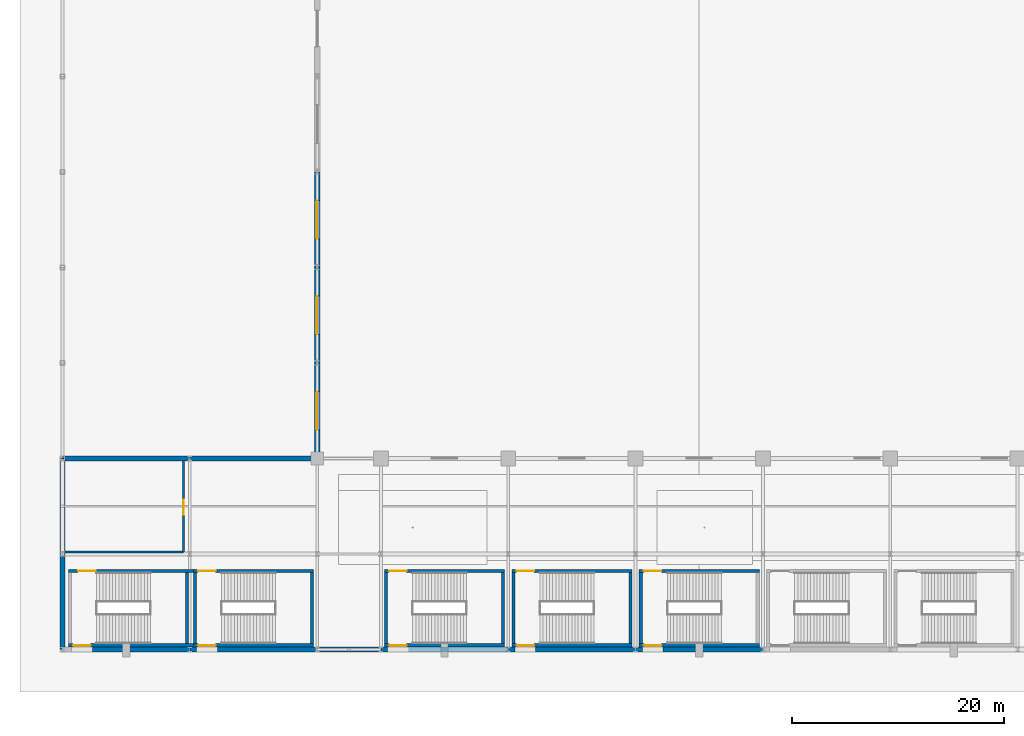
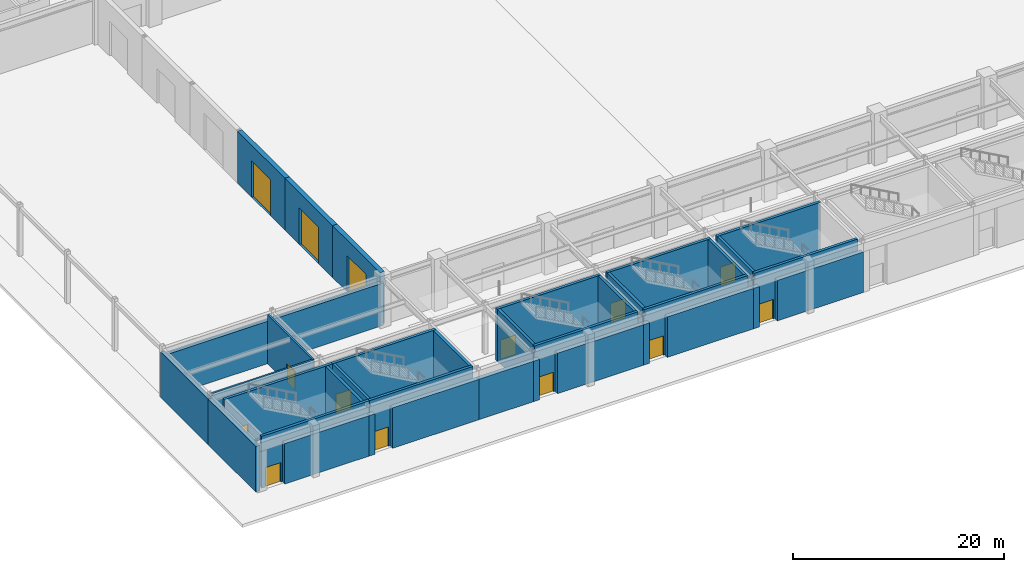
# One storey, part 21 of 44: 37 walls, 14 doors, 14 openings.
"""IFC4 building model written with IfcOpenShell, lengths in metres."""

from ifc_helpers import new_model, si_unit, direction, frame, frame_2d, origin, place, context, subcontext, project, spatial, rectangle, extrude, material, layer, layer_set, type_object, element, fill, save


model = new_model("IFC4")

# Units and contexts
model_context = context("Model", 3, precision=1e-05, world=origin(), true_north=direction((0.0, 1.0)))
body_context = subcontext(model_context, "Body", "Model", "MODEL_VIEW")
ifc_project = project(units=[si_unit("LENGTHUNIT", "METRE"), si_unit("AREAUNIT", "SQUARE_METRE"), si_unit("VOLUMEUNIT", "CUBIC_METRE"), si_unit("PLANEANGLEUNIT", "RADIAN"), si_unit("MASSUNIT", "GRAM", prefix="KILO")], contexts=[model_context])

# Site, building, storey
site_placement = place(None, origin())
site = spatial("IfcSite", under=ifc_project, at=site_placement, CompositionType="ELEMENT")
building_placement = place(site_placement, origin())
building = spatial("IfcBuilding", under=site, at=building_placement, Name="Kaldorvane Square Convention Centre", CompositionType="ELEMENT")
storey_placement = place(building_placement, origin())
storey = spatial("IfcBuildingStorey", under=building, at=storey_placement, Name="L00", CompositionType="ELEMENT", Elevation=0.0)

# Wall, opening, door
ifc_material_1 = material(Name="Concrete f'c = 55 MPa (Normalweight)", Category="concrete")
ifc_layer_1 = layer(ifc_material_1, 0.5)
ifc_layer_set_1 = layer_set([ifc_layer_1], Name="Concrete f'c = 55 MPa (Normalweight)")
wall_type_1 = type_object("IfcWallType", Name="WL-CORE-500", PredefinedType="SHEAR", material=ifc_layer_set_1)
wall_1_placement = place(storey_placement, frame((24.0, 27.0, 0.0), z_axis=(0.0, 0.0, 1.0), x_axis=(0.0, -1.0, 0.0)))
wall_1 = element("IfcWall", 1, at=wall_1_placement, inside=storey, type_object=wall_type_1, Name="Exhibition Hall Freight Dock Wall 1 (L00)", PredefinedType="SHEAR", context=body_context, shape_type="SweptSolid", body=[
    extrude(rectangle(XDim=9.0, YDim=0.5, at=frame_2d((4.5, 0.0))), origin(), (0.0, 0.0, 1.0), 6.0),
])
opening_1_placement = place(wall_1_placement, frame((2.6999969482421875, 0.0, 0.0)))
opening_1 = element("IfcOpeningElement", 2, at=opening_1_placement, cuts=wall_1, Name="Opening GD-H1", PredefinedType="OPENING", context=body_context, shape_type="SweptSolid", body=[
    extrude(rectangle(XDim=3.600006103515625, YDim=4.1999969482421875, at=frame_2d((1.8000030517578125, 2.100006103515625))), frame((0.0, 0.2649993896484375, 0.0), z_axis=(0.0, -1.0, 0.0), x_axis=(1.0, 0.0, 0.0)), (0.0, 0.0, 1.0), 0.529998779296875),
])
ifc_material_2 = material(Name="Insulated Galvanized Steel Roller Shutter", Category="steel")
door_type_1 = type_object("IfcDoorType", Name="DR-HGV-3600X4200", OperationType="ROLLINGUP", PredefinedType="GATE", material=ifc_material_2)
door_1_placement = place(opening_1_placement, origin())
door_1 = element("IfcDoor", 3, at=door_1_placement, inside=storey, type_object=door_type_1, Name="HGV Loading Dock Roller Gate 01", OperationType="ROLLINGUP", OverallHeight=4.1999969482421875, OverallWidth=3.600006103515625, PredefinedType="GATE", context=body_context, shape_type="SweptSolid", body=[
    extrude(rectangle(XDim=3.600006103515625, YDim=4.1999969482421875, at=frame_2d((1.8000030517578125, 2.100006103515625))), frame((0.0, 0.024993896484375, 0.0), z_axis=(0.0, -1.0, 0.0), x_axis=(1.0, 0.0, 0.0)), (0.0, 0.0, 1.0), 0.0500030517578125),
])
fill(opening_1, door_1)

wall_2_placement = place(storey_placement, frame((24.0, 36.0, 0.0), z_axis=(0.0, 0.0, 1.0), x_axis=(0.0, -1.0, 0.0)))
wall_2 = element("IfcWall", 4, at=wall_2_placement, inside=storey, type_object=wall_type_1, Name="Exhibition Hall Freight Dock Wall 2 (L00)", PredefinedType="SHEAR", context=body_context, shape_type="SweptSolid", body=[
    extrude(rectangle(XDim=9.0, YDim=0.5, at=frame_2d((4.5, 0.0))), origin(), (0.0, 0.0, 1.0), 6.0),
])
opening_2_placement = place(wall_2_placement, frame((2.6999969482421875, 0.0, 0.0)))
opening_2 = element("IfcOpeningElement", 5, at=opening_2_placement, cuts=wall_2, Name="Opening GD-H1", PredefinedType="OPENING", context=body_context, shape_type="SweptSolid", body=[
    extrude(rectangle(XDim=3.600006103515625, YDim=4.1999969482421875, at=frame_2d((1.8000030517578125, 2.100006103515625))), frame((0.0, 0.2649993896484375, 0.0), z_axis=(0.0, -1.0, 0.0), x_axis=(1.0, 0.0, 0.0)), (0.0, 0.0, 1.0), 0.529998779296875),
])
door_2_placement = place(opening_2_placement, origin())
door_2 = element("IfcDoor", 6, at=door_2_placement, inside=storey, type_object=door_type_1, Name="HGV Loading Dock Roller Gate 02", OperationType="ROLLINGUP", OverallHeight=4.1999969482421875, OverallWidth=3.600006103515625, PredefinedType="GATE", context=body_context, shape_type="SweptSolid", body=[
    extrude(rectangle(XDim=3.600006103515625, YDim=4.1999969482421875, at=frame_2d((1.8000030517578125, 2.100006103515625))), frame((0.0, 0.024993896484375, 0.0), z_axis=(0.0, -1.0, 0.0), x_axis=(1.0, 0.0, 0.0)), (0.0, 0.0, 1.0), 0.0500030517578125),
])
fill(opening_2, door_2)

wall_3_placement = place(storey_placement, frame((24.0, 45.0, 0.0), z_axis=(0.0, 0.0, 1.0), x_axis=(0.0, -1.0, 0.0)))
wall_3 = element("IfcWall", 7, at=wall_3_placement, inside=storey, type_object=wall_type_1, Name="Exhibition Hall Freight Dock Wall 3 (L00)", PredefinedType="SHEAR", context=body_context, shape_type="SweptSolid", body=[
    extrude(rectangle(XDim=9.0, YDim=0.5, at=frame_2d((4.5, 0.0))), origin(), (0.0, 0.0, 1.0), 6.0),
])
opening_3_placement = place(wall_3_placement, frame((2.6999969482421875, 0.0, 0.0)))
opening_3 = element("IfcOpeningElement", 8, at=opening_3_placement, cuts=wall_3, Name="Opening GD-H1", PredefinedType="OPENING", context=body_context, shape_type="SweptSolid", body=[
    extrude(rectangle(XDim=3.600006103515625, YDim=4.1999969482421875, at=frame_2d((1.8000030517578125, 2.100006103515625))), frame((0.0, 0.2649993896484375, 0.0), z_axis=(0.0, -1.0, 0.0), x_axis=(1.0, 0.0, 0.0)), (0.0, 0.0, 1.0), 0.529998779296875),
])
door_3_placement = place(opening_3_placement, origin())
door_3 = element("IfcDoor", 9, at=door_3_placement, inside=storey, type_object=door_type_1, Name="HGV Loading Dock Roller Gate 03", OperationType="ROLLINGUP", OverallHeight=4.1999969482421875, OverallWidth=3.600006103515625, PredefinedType="GATE", context=body_context, shape_type="SweptSolid", body=[
    extrude(rectangle(XDim=3.600006103515625, YDim=4.1999969482421875, at=frame_2d((1.8000030517578125, 2.100006103515625))), frame((0.0, 0.024993896484375, 0.0), z_axis=(0.0, -1.0, 0.0), x_axis=(1.0, 0.0, 0.0)), (0.0, 0.0, 1.0), 0.0500030517578125),
])
fill(opening_3, door_3)

# Wall
ifc_material_3 = material(Name="Fire-Rated Gypsum Board on Acoustic Steel Studs", Category="steel")
ifc_layer_2 = layer(ifc_material_3, 0.1999969482421875)
ifc_layer_set_2 = layer_set([ifc_layer_2], Name="Fire-Rated Gypsum Board on Acoustic Steel Studs")
wall_type_2 = type_object("IfcWallType", Name="WL-CORR-200", PredefinedType="PARTITIONING", material=ifc_layer_set_2)
wall_4_placement = place(storey_placement, frame((0.225006103515625, 9.199996948242188, 0.0), z_axis=(0.0, 0.0, 1.0), x_axis=(1.0, 0.0, 0.0)))
element("IfcWall", 10, at=wall_4_placement, inside=storey, type_object=wall_type_2, Name="Marshalling Security and Weighmaster Office S Wall", PredefinedType="PARTITIONING", context=body_context, shape_type="SweptSolid", body=[
    extrude(rectangle(XDim=11.17498779296875, YDim=0.1999969482421875, at=frame_2d((5.587493896484375, 0.0))), origin(), (0.0, 0.0, 1.0), 5.67999267578125),
])

# Wall, opening, door
wall_5_placement = place(storey_placement, frame((11.399993896484375, 9.199996948242188, 0.0), z_axis=(0.0, 0.0, 1.0), x_axis=(0.0, 1.0, 0.0)))
wall_5 = element("IfcWall", 11, at=wall_5_placement, inside=storey, type_object=wall_type_2, Name="Marshalling Security and Weighmaster Office E Wall", PredefinedType="PARTITIONING", context=body_context, shape_type="SweptSolid", body=[
    extrude(rectangle(XDim=8.574996948242188, YDim=0.1999969482421875, at=frame_2d((4.287506103515625, 0.0))), origin(), (0.0, 0.0, 1.0), 5.67999267578125),
])
opening_4_placement = place(wall_5_placement, frame((3.5, 0.0, 0.0)))
opening_4 = element("IfcOpeningElement", 12, at=opening_4_placement, cuts=wall_5, Name="Opening ID-08", PredefinedType="OPENING", context=body_context, shape_type="SweptSolid", body=[
    extrude(rectangle(XDim=1.399993896484375, YDim=2.1999969482421875, at=frame_2d((0.6999969482421875, 1.100006103515625))), frame((0.0, 0.114990234375, 0.0), z_axis=(0.0, -1.0, 0.0), x_axis=(1.0, 0.0, 0.0)), (0.0, 0.0, 1.0), 0.2299957275390625),
])
ifc_material_4 = material(Name="Insulated Hollow Metal Steel", Category="steel")
door_type_2 = type_object("IfcDoorType", Name="DR-SVC-1400X2200", OperationType="DOUBLE_DOOR_SINGLE_SWING", PredefinedType="DOOR", material=ifc_material_4)
door_4_placement = place(opening_4_placement, origin())
door_4 = element("IfcDoor", 13, at=door_4_placement, inside=storey, type_object=door_type_2, Name="Marshalling Security and Weighmaster Office Door 1", OperationType="DOUBLE_DOOR_SINGLE_SWING", OverallHeight=2.1999969482421875, OverallWidth=1.399993896484375, PredefinedType="DOOR", context=body_context, shape_type="SweptSolid", body=[
    extrude(rectangle(XDim=1.399993896484375, YDim=2.1999969482421875, at=frame_2d((0.6999969482421875, 1.100006103515625))), frame((0.0, 0.024993896484375, 0.0), z_axis=(0.0, -1.0, 0.0), x_axis=(1.0, 0.0, 0.0)), (0.0, 0.0, 1.0), 0.0500030517578125),
])
fill(opening_4, door_4)

# Walls
ifc_material_5 = material(Name="Concrete f'c = 42 MPa (Normalweight)", Category="concrete")
ifc_layer_3 = layer(ifc_material_5, 0.4499969482421875)
ifc_layer_set_3 = layer_set([ifc_layer_3], Name="Concrete f'c = 42 MPa (Normalweight)")
wall_type_3 = type_object("IfcWallType", Name="WL-EXT-450", PredefinedType="STANDARD", material=ifc_layer_set_3)
wall_6_placement = place(storey_placement, frame((2.80999755859375, 0.0, 0.0), z_axis=(0.0, 0.0, 1.0), x_axis=(1.0, 0.0, 0.0)))
element("IfcWall", 14, at=wall_6_placement, inside=storey, type_object=wall_type_3, Name="South Square Brutalist Facade Wall (L00)", PredefinedType="STANDARD", context=body_context, shape_type="SweptSolid", body=[
    extrude(rectangle(XDim=9.19000244140625, YDim=0.4499969482421875, at=frame_2d((4.595001220703125, 0.0))), origin(), (0.0, 0.0, 1.0), 4.675994873046875),
])
wall_7_placement = place(storey_placement, frame((12.0, 0.0, 0.0), z_axis=(0.0, 0.0, 1.0), x_axis=(1.0, 0.0, 0.0)))
element("IfcWall", 15, at=wall_7_placement, inside=storey, type_object=wall_type_3, Name="South Square Brutalist Facade Wall (L00)", PredefinedType="STANDARD", context=body_context, shape_type="SweptSolid", body=[
    extrude(rectangle(XDim=0.6399993896484375, YDim=0.4499969482421875, at=frame_2d((0.32000732421875, 0.0))), origin(), (0.0, 0.0, 1.0), 4.675994873046875),
])
wall_8_placement = place(storey_placement, frame((14.589996337890625, 0.0, 0.0), z_axis=(0.0, 0.0, 1.0), x_axis=(1.0, 0.0, 0.0)))
element("IfcWall", 16, at=wall_8_placement, inside=storey, type_object=wall_type_3, Name="South Square Brutalist Facade Wall (L00)", PredefinedType="STANDARD", context=body_context, shape_type="SweptSolid", body=[
    extrude(rectangle(XDim=9.410003662109375, YDim=0.4499969482421875, at=frame_2d((4.7050018310546875, 0.0))), origin(), (0.0, 0.0, 1.0), 4.675994873046875),
])
wall_9_placement = place(storey_placement, frame((24.0, 0.0, 0.0), z_axis=(0.0, 0.0, 1.0), x_axis=(1.0, 0.0, 0.0)))
element("IfcWall", 17, at=wall_9_placement, inside=storey, type_object=wall_type_3, Name="South Square Brutalist Facade Wall (L00)", PredefinedType="STANDARD", context=body_context, shape_type="SweptSolid", body=[
    extrude(rectangle(XDim=6.0, YDim=0.4499969482421875, at=frame_2d((3.0, 0.0))), origin(), (0.0, 0.0, 1.0), 4.675994873046875),
])
wall_10_placement = place(storey_placement, frame((30.0, 0.0, 0.0), z_axis=(0.0, 0.0, 1.0), x_axis=(1.0, 0.0, 0.0)))
element("IfcWall", 18, at=wall_10_placement, inside=storey, type_object=wall_type_3, Name="South Square Brutalist Facade Wall (L00)", PredefinedType="STANDARD", context=body_context, shape_type="SweptSolid", body=[
    extrude(rectangle(XDim=0.6399993896484375, YDim=0.4499969482421875, at=frame_2d((0.32000732421875, 0.0))), origin(), (0.0, 0.0, 1.0), 4.675994873046875),
])
wall_11_placement = place(storey_placement, frame((32.589996337890625, 0.0, 0.0), z_axis=(0.0, 0.0, 1.0), x_axis=(1.0, 0.0, 0.0)))
element("IfcWall", 19, at=wall_11_placement, inside=storey, type_object=wall_type_3, Name="South Square Brutalist Facade Wall (L00)", PredefinedType="STANDARD", context=body_context, shape_type="SweptSolid", body=[
    extrude(rectangle(XDim=9.410003662109375, YDim=0.4499969482421875, at=frame_2d((4.7050018310546875, 0.0))), origin(), (0.0, 0.0, 1.0), 4.675994873046875),
])
wall_12_placement = place(storey_placement, frame((42.0, 0.0, 0.0), z_axis=(0.0, 0.0, 1.0), x_axis=(1.0, 0.0, 0.0)))
element("IfcWall", 20, at=wall_12_placement, inside=storey, type_object=wall_type_3, Name="South Square Brutalist Facade Wall (L00)", PredefinedType="STANDARD", context=body_context, shape_type="SweptSolid", body=[
    extrude(rectangle(XDim=0.6399993896484375, YDim=0.4499969482421875, at=frame_2d((0.32000732421875, 0.0))), origin(), (0.0, 0.0, 1.0), 4.675994873046875),
])
wall_13_placement = place(storey_placement, frame((44.589996337890625, 0.0, 0.0), z_axis=(0.0, 0.0, 1.0), x_axis=(1.0, 0.0, 0.0)))
element("IfcWall", 21, at=wall_13_placement, inside=storey, type_object=wall_type_3, Name="South Square Brutalist Facade Wall (L00)", PredefinedType="STANDARD", context=body_context, shape_type="SweptSolid", body=[
    extrude(rectangle(XDim=9.410003662109375, YDim=0.4499969482421875, at=frame_2d((4.7050018310546875, 0.0))), origin(), (0.0, 0.0, 1.0), 4.675994873046875),
])
wall_14_placement = place(storey_placement, frame((54.0, 0.0, 0.0), z_axis=(0.0, 0.0, 1.0), x_axis=(1.0, 0.0, 0.0)))
element("IfcWall", 22, at=wall_14_placement, inside=storey, type_object=wall_type_3, Name="South Square Brutalist Facade Wall (L00)", PredefinedType="STANDARD", context=body_context, shape_type="SweptSolid", body=[
    extrude(rectangle(XDim=0.6399993896484375, YDim=0.4499969482421875, at=frame_2d((0.32000732421875, 0.0))), origin(), (0.0, 0.0, 1.0), 4.675994873046875),
])
wall_15_placement = place(storey_placement, frame((56.589996337890625, 0.0, 0.0), z_axis=(0.0, 0.0, 1.0), x_axis=(1.0, 0.0, 0.0)))
element("IfcWall", 23, at=wall_15_placement, inside=storey, type_object=wall_type_3, Name="South Square Brutalist Facade Wall (L00)", PredefinedType="STANDARD", context=body_context, shape_type="SweptSolid", body=[
    extrude(rectangle(XDim=9.410003662109375, YDim=0.4499969482421875, at=frame_2d((4.7050018310546875, 0.0))), origin(), (0.0, 0.0, 1.0), 4.675994873046875),
])
for number, where, z_axis, x_axis, name in (
    (24, (0.0, 9.0, 0.0), (0.0, 0.0, 1.0), (0.0, -1.0, 0.0), "West Service Spine Wall (L00)"),
    (25, (0.0, 18.0, 0.0), (0.0, 0.0, 1.0), (0.0, -1.0, 0.0), "West Service Spine Wall (L00)"),
):
    element("IfcWall", number, at=place(storey_placement, frame(where, z_axis=z_axis, x_axis=x_axis)), inside=storey, type_object=wall_type_3, Name=name, PredefinedType="STANDARD", context=body_context, shape_type="SweptSolid", body=[
        extrude(rectangle(XDim=9.0, YDim=0.4499969482421875, at=frame_2d((4.5, 0.0))), origin(), (0.0, 0.0, 1.0), 5.2689971923828125),
    ])
for number, where, z_axis, x_axis, name in (
    (26, (0.0, 18.0, 0.0), (0.0, 0.0, 1.0), (1.0, 0.0, 0.0), "Service Yard South Wall (L00)"),
    (27, (12.0, 18.0, 0.0), (0.0, 0.0, 1.0), (1.0, 0.0, 0.0), "Service Yard South Wall (L00)"),
):
    element("IfcWall", number, at=place(storey_placement, frame(where, z_axis=z_axis, x_axis=x_axis)), inside=storey, type_object=wall_type_3, Name=name, PredefinedType="STANDARD", context=body_context, shape_type="SweptSolid", body=[
        extrude(rectangle(XDim=12.0, YDim=0.4499969482421875, at=frame_2d((6.0, 0.0))), origin(), (0.0, 0.0, 1.0), 4.9019927978515625),
    ])

# Wall, opening, door
ifc_layer_4 = layer(ifc_material_1, 0.3000030517578125)
ifc_layer_set_4 = layer_set([ifc_layer_4], Name="Concrete f'c = 55 MPa (Normalweight)")
wall_type_4 = type_object("IfcWallType", Name="WL-SHAFT-300", PredefinedType="SHEAR", material=ifc_layer_set_4)
wall_16_placement = place(storey_placement, frame((12.339996337890625, 0.399993896484375, 0.0), z_axis=(0.0, 0.0, 1.0), x_axis=(-1.0, 0.0, 0.0)))
wall_16 = element("IfcWall", 28, at=wall_16_placement, inside=storey, type_object=wall_type_4, Name="Core Enclosure Wall stair:ST-C1-S (L00)", PredefinedType="SHEAR", context=body_context, shape_type="SweptSolid", body=[
    extrude(rectangle(XDim=11.779998779296875, YDim=0.3000030517578125, at=frame_2d((5.8899993896484375, 0.0))), origin(), (0.0, 0.0, 1.0), 6.0),
])
opening_5_placement = place(wall_16_placement, frame((9.67999267578125, 0.0, 0.0)))
opening_5 = element("IfcOpeningElement", 29, at=opening_5_placement, cuts=wall_16, Name="Opening FD90-S2", PredefinedType="OPENING", context=body_context, shape_type="SweptSolid", body=[
    extrude(rectangle(XDim=1.649993896484375, YDim=2.25, at=frame_2d((0.8249969482421875, 1.125))), frame((0.0, 0.165008544921875, 0.0), z_axis=(0.0, -1.0, 0.0), x_axis=(1.0, 0.0, 0.0)), (0.0, 0.0, 1.0), 0.3300018310546875),
])
ifc_material_6 = material(Name="Fire-Rated Hollow Metal Steel", Category="steel")
door_type_3 = type_object("IfcDoorType", Name="DR-STAIR-1650", OperationType="DOUBLE_DOOR_SINGLE_SWING", PredefinedType="DOOR", material=ifc_material_6)
door_5_placement = place(opening_5_placement, origin())
door_5 = element("IfcDoor", 30, at=door_5_placement, inside=storey, type_object=door_type_3, Name="Convention Exit Stair C1 Final Exit Door (L00)", OperationType="DOUBLE_DOOR_SINGLE_SWING", OverallHeight=2.25, OverallWidth=1.649993896484375, PredefinedType="DOOR", context=body_context, shape_type="SweptSolid", body=[
    extrude(rectangle(XDim=1.649993896484375, YDim=2.25, at=frame_2d((0.8249969482421875, 1.125))), frame((0.0, 0.024993896484375, 0.0), z_axis=(0.0, -1.0, 0.0), x_axis=(1.0, 0.0, 0.0)), (0.0, 0.0, 1.0), 0.0500030517578125),
])
fill(opening_5, door_5)

wall_17_placement = place(storey_placement, frame((12.339996337890625, 7.410003662109375, 0.0), z_axis=(0.0, 0.0, 1.0), x_axis=(-1.0, 0.0, 0.0)))
wall_17 = element("IfcWall", 31, at=wall_17_placement, inside=storey, type_object=wall_type_4, Name="Core Enclosure Wall stair:ST-C1-N (L00)", PredefinedType="SHEAR", context=body_context, shape_type="SweptSolid", body=[
    extrude(rectangle(XDim=11.779998779296875, YDim=0.3000030517578125, at=frame_2d((5.8899993896484375, 0.0))), origin(), (0.0, 0.0, 1.0), 6.0),
])
opening_6_placement = place(wall_17_placement, frame((9.220001220703125, 0.0, 0.0)))
opening_6 = element("IfcOpeningElement", 32, at=opening_6_placement, cuts=wall_17, Name="Opening FD90-S2", PredefinedType="OPENING", context=body_context, shape_type="SweptSolid", body=[
    extrude(rectangle(XDim=1.649993896484375, YDim=2.25, at=frame_2d((0.8249969482421875, 1.125))), frame((0.0, 0.165008544921875, 0.0), z_axis=(0.0, -1.0, 0.0), x_axis=(1.0, 0.0, 0.0)), (0.0, 0.0, 1.0), 0.3300018310546875),
])
door_6_placement = place(opening_6_placement, origin())
door_6 = element("IfcDoor", 33, at=door_6_placement, inside=storey, type_object=door_type_3, Name="Convention Exit Stair C1 Fire Door (L00)", OperationType="DOUBLE_DOOR_SINGLE_SWING", OverallHeight=2.25, OverallWidth=1.649993896484375, PredefinedType="DOOR", context=body_context, shape_type="SweptSolid", body=[
    extrude(rectangle(XDim=1.649993896484375, YDim=2.25, at=frame_2d((0.8249969482421875, 1.125))), frame((0.0, 0.024993896484375, 0.0), z_axis=(0.0, -1.0, 0.0), x_axis=(1.0, 0.0, 0.0)), (0.0, 0.0, 1.0), 0.0500030517578125),
])
fill(opening_6, door_6)

# Wall
wall_18_placement = place(storey_placement, frame((11.729995727539062, 0.5500030517578125, 0.0), z_axis=(0.0, 0.0, 1.0), x_axis=(0.0, 1.0, 0.0)))
element("IfcWall", 34, at=wall_18_placement, inside=storey, type_object=wall_type_4, Name="Core Enclosure Wall stair:ST-C1-E (L00)", PredefinedType="SHEAR", context=body_context, shape_type="SweptSolid", body=[
    extrude(rectangle(XDim=6.709991455078125, YDim=0.3000030517578125, at=frame_2d((3.3549957275390625, 0.0))), origin(), (0.0, 0.0, 1.0), 6.0),
])

# Wall, opening, door
wall_19_placement = place(storey_placement, frame((23.660003662109375, 0.399993896484375, 0.0), z_axis=(0.0, 0.0, 1.0), x_axis=(-1.0, 0.0, 0.0)))
wall_19 = element("IfcWall", 35, at=wall_19_placement, inside=storey, type_object=wall_type_4, Name="Core Enclosure Wall stair:ST-C2-S (L00)", PredefinedType="SHEAR", context=body_context, shape_type="SweptSolid", body=[
    extrude(rectangle(XDim=11.32000732421875, YDim=0.3000030517578125, at=frame_2d((5.660003662109375, 0.0))), origin(), (0.0, 0.0, 1.0), 6.0),
])
opening_7_placement = place(wall_19_placement, frame((9.220001220703125, 0.0, 0.0)))
opening_7 = element("IfcOpeningElement", 36, at=opening_7_placement, cuts=wall_19, Name="Opening FD90-S2", PredefinedType="OPENING", context=body_context, shape_type="SweptSolid", body=[
    extrude(rectangle(XDim=1.649993896484375, YDim=2.25, at=frame_2d((0.8249969482421875, 1.125))), frame((0.0, 0.165008544921875, 0.0), z_axis=(0.0, -1.0, 0.0), x_axis=(1.0, 0.0, 0.0)), (0.0, 0.0, 1.0), 0.3300018310546875),
])
door_7_placement = place(opening_7_placement, origin())
door_7 = element("IfcDoor", 37, at=door_7_placement, inside=storey, type_object=door_type_3, Name="Convention Exit Stair C2 Final Exit Door (L00)", OperationType="DOUBLE_DOOR_SINGLE_SWING", OverallHeight=2.25, OverallWidth=1.649993896484375, PredefinedType="DOOR", context=body_context, shape_type="SweptSolid", body=[
    extrude(rectangle(XDim=1.649993896484375, YDim=2.25, at=frame_2d((0.8249969482421875, 1.125))), frame((0.0, 0.024993896484375, 0.0), z_axis=(0.0, -1.0, 0.0), x_axis=(1.0, 0.0, 0.0)), (0.0, 0.0, 1.0), 0.0500030517578125),
])
fill(opening_7, door_7)

wall_20_placement = place(storey_placement, frame((23.660003662109375, 7.410003662109375, 0.0), z_axis=(0.0, 0.0, 1.0), x_axis=(-1.0, 0.0, 0.0)))
wall_20 = element("IfcWall", 38, at=wall_20_placement, inside=storey, type_object=wall_type_4, Name="Core Enclosure Wall stair:ST-C2-N (L00)", PredefinedType="SHEAR", context=body_context, shape_type="SweptSolid", body=[
    extrude(rectangle(XDim=11.32000732421875, YDim=0.3000030517578125, at=frame_2d((5.660003662109375, 0.0))), origin(), (0.0, 0.0, 1.0), 6.0),
])
opening_8_placement = place(wall_20_placement, frame((9.220001220703125, 0.0, 0.0)))
opening_8 = element("IfcOpeningElement", 39, at=opening_8_placement, cuts=wall_20, Name="Opening FD90-S2", PredefinedType="OPENING", context=body_context, shape_type="SweptSolid", body=[
    extrude(rectangle(XDim=1.649993896484375, YDim=2.25, at=frame_2d((0.8249969482421875, 1.125))), frame((0.0, 0.165008544921875, 0.0), z_axis=(0.0, -1.0, 0.0), x_axis=(1.0, 0.0, 0.0)), (0.0, 0.0, 1.0), 0.3300018310546875),
])
door_8_placement = place(opening_8_placement, origin())
door_8 = element("IfcDoor", 40, at=door_8_placement, inside=storey, type_object=door_type_3, Name="Convention Exit Stair C2 Fire Door (L00)", OperationType="DOUBLE_DOOR_SINGLE_SWING", OverallHeight=2.25, OverallWidth=1.649993896484375, PredefinedType="DOOR", context=body_context, shape_type="SweptSolid", body=[
    extrude(rectangle(XDim=1.649993896484375, YDim=2.25, at=frame_2d((0.8249969482421875, 1.125))), frame((0.0, 0.024993896484375, 0.0), z_axis=(0.0, -1.0, 0.0), x_axis=(1.0, 0.0, 0.0)), (0.0, 0.0, 1.0), 0.0500030517578125),
])
fill(opening_8, door_8)

# Walls
for number, where, z_axis, x_axis, name in (
    (41, (12.490005493164062, 7.2599945068359375, 0.0), (0.0, 0.0, 1.0), (0.0, -1.0, 0.0), "Core Enclosure Wall stair:ST-C2-W (L00)"),
    (42, (23.509994506835938, 0.5500030517578125, 0.0), (0.0, 0.0, 1.0), (0.0, 1.0, 0.0), "Core Enclosure Wall stair:ST-C2-E (L00)"),
):
    element("IfcWall", number, at=place(storey_placement, frame(where, z_axis=z_axis, x_axis=x_axis)), inside=storey, type_object=wall_type_4, Name=name, PredefinedType="SHEAR", context=body_context, shape_type="SweptSolid", body=[
        extrude(rectangle(XDim=6.709991455078125, YDim=0.3000030517578125, at=frame_2d((3.3549957275390625, 0.0))), origin(), (0.0, 0.0, 1.0), 6.0),
    ])

# Wall, opening, door
wall_21_placement = place(storey_placement, frame((41.660003662109375, 0.399993896484375, 0.0), z_axis=(0.0, 0.0, 1.0), x_axis=(-1.0, 0.0, 0.0)))
wall_21 = element("IfcWall", 43, at=wall_21_placement, inside=storey, type_object=wall_type_4, Name="Core Enclosure Wall stair:ST-C3-S (L00)", PredefinedType="SHEAR", context=body_context, shape_type="SweptSolid", body=[
    extrude(rectangle(XDim=11.32000732421875, YDim=0.3000030517578125, at=frame_2d((5.660003662109375, 0.0))), origin(), (0.0, 0.0, 1.0), 6.0),
])
opening_9_placement = place(wall_21_placement, frame((9.220001220703125, 0.0, 0.0)))
opening_9 = element("IfcOpeningElement", 44, at=opening_9_placement, cuts=wall_21, Name="Opening FD90-S2", PredefinedType="OPENING", context=body_context, shape_type="SweptSolid", body=[
    extrude(rectangle(XDim=1.649993896484375, YDim=2.25, at=frame_2d((0.8249969482421875, 1.125))), frame((0.0, 0.165008544921875, 0.0), z_axis=(0.0, -1.0, 0.0), x_axis=(1.0, 0.0, 0.0)), (0.0, 0.0, 1.0), 0.3300018310546875),
])
door_9_placement = place(opening_9_placement, origin())
door_9 = element("IfcDoor", 45, at=door_9_placement, inside=storey, type_object=door_type_3, Name="Convention Exit Stair C3 Final Exit Door (L00)", OperationType="DOUBLE_DOOR_SINGLE_SWING", OverallHeight=2.25, OverallWidth=1.649993896484375, PredefinedType="DOOR", context=body_context, shape_type="SweptSolid", body=[
    extrude(rectangle(XDim=1.649993896484375, YDim=2.25, at=frame_2d((0.8249969482421875, 1.125))), frame((0.0, 0.024993896484375, 0.0), z_axis=(0.0, -1.0, 0.0), x_axis=(1.0, 0.0, 0.0)), (0.0, 0.0, 1.0), 0.0500030517578125),
])
fill(opening_9, door_9)

wall_22_placement = place(storey_placement, frame((41.660003662109375, 7.410003662109375, 0.0), z_axis=(0.0, 0.0, 1.0), x_axis=(-1.0, 0.0, 0.0)))
wall_22 = element("IfcWall", 46, at=wall_22_placement, inside=storey, type_object=wall_type_4, Name="Core Enclosure Wall stair:ST-C3-N (L00)", PredefinedType="SHEAR", context=body_context, shape_type="SweptSolid", body=[
    extrude(rectangle(XDim=11.32000732421875, YDim=0.3000030517578125, at=frame_2d((5.660003662109375, 0.0))), origin(), (0.0, 0.0, 1.0), 6.0),
])
opening_10_placement = place(wall_22_placement, frame((9.220001220703125, 0.0, 0.0)))
opening_10 = element("IfcOpeningElement", 47, at=opening_10_placement, cuts=wall_22, Name="Opening FD90-S2", PredefinedType="OPENING", context=body_context, shape_type="SweptSolid", body=[
    extrude(rectangle(XDim=1.649993896484375, YDim=2.25, at=frame_2d((0.8249969482421875, 1.125))), frame((0.0, 0.165008544921875, 0.0), z_axis=(0.0, -1.0, 0.0), x_axis=(1.0, 0.0, 0.0)), (0.0, 0.0, 1.0), 0.3300018310546875),
])
door_10_placement = place(opening_10_placement, origin())
door_10 = element("IfcDoor", 48, at=door_10_placement, inside=storey, type_object=door_type_3, Name="Convention Exit Stair C3 Fire Door (L00)", OperationType="DOUBLE_DOOR_SINGLE_SWING", OverallHeight=2.25, OverallWidth=1.649993896484375, PredefinedType="DOOR", context=body_context, shape_type="SweptSolid", body=[
    extrude(rectangle(XDim=1.649993896484375, YDim=2.25, at=frame_2d((0.8249969482421875, 1.125))), frame((0.0, 0.024993896484375, 0.0), z_axis=(0.0, -1.0, 0.0), x_axis=(1.0, 0.0, 0.0)), (0.0, 0.0, 1.0), 0.0500030517578125),
])
fill(opening_10, door_10)

# Walls
for number, where, z_axis, x_axis, name in (
    (49, (30.490005493164062, 7.2599945068359375, 0.0), (0.0, 0.0, 1.0), (0.0, -1.0, 0.0), "Core Enclosure Wall stair:ST-C3-W (L00)"),
    (50, (41.50999450683594, 0.5500030517578125, 0.0), (0.0, 0.0, 1.0), (0.0, 1.0, 0.0), "Core Enclosure Wall stair:ST-C3-E (L00)"),
):
    element("IfcWall", number, at=place(storey_placement, frame(where, z_axis=z_axis, x_axis=x_axis)), inside=storey, type_object=wall_type_4, Name=name, PredefinedType="SHEAR", context=body_context, shape_type="SweptSolid", body=[
        extrude(rectangle(XDim=6.709991455078125, YDim=0.3000030517578125, at=frame_2d((3.3549957275390625, 0.0))), origin(), (0.0, 0.0, 1.0), 6.0),
    ])

# Wall, opening, door
wall_23_placement = place(storey_placement, frame((53.660003662109375, 0.399993896484375, 0.0), z_axis=(0.0, 0.0, 1.0), x_axis=(-1.0, 0.0, 0.0)))
wall_23 = element("IfcWall", 51, at=wall_23_placement, inside=storey, type_object=wall_type_4, Name="Core Enclosure Wall stair:ST-C4-S (L00)", PredefinedType="SHEAR", context=body_context, shape_type="SweptSolid", body=[
    extrude(rectangle(XDim=11.32000732421875, YDim=0.3000030517578125, at=frame_2d((5.660003662109375, 0.0))), origin(), (0.0, 0.0, 1.0), 6.0),
])
opening_11_placement = place(wall_23_placement, frame((9.220001220703125, 0.0, 0.0)))
opening_11 = element("IfcOpeningElement", 52, at=opening_11_placement, cuts=wall_23, Name="Opening FD90-S2", PredefinedType="OPENING", context=body_context, shape_type="SweptSolid", body=[
    extrude(rectangle(XDim=1.649993896484375, YDim=2.25, at=frame_2d((0.8249969482421875, 1.125))), frame((0.0, 0.165008544921875, 0.0), z_axis=(0.0, -1.0, 0.0), x_axis=(1.0, 0.0, 0.0)), (0.0, 0.0, 1.0), 0.3300018310546875),
])
door_11_placement = place(opening_11_placement, origin())
door_11 = element("IfcDoor", 53, at=door_11_placement, inside=storey, type_object=door_type_3, Name="Convention Exit Stair C4 Final Exit Door (L00)", OperationType="DOUBLE_DOOR_SINGLE_SWING", OverallHeight=2.25, OverallWidth=1.649993896484375, PredefinedType="DOOR", context=body_context, shape_type="SweptSolid", body=[
    extrude(rectangle(XDim=1.649993896484375, YDim=2.25, at=frame_2d((0.8249969482421875, 1.125))), frame((0.0, 0.024993896484375, 0.0), z_axis=(0.0, -1.0, 0.0), x_axis=(1.0, 0.0, 0.0)), (0.0, 0.0, 1.0), 0.0500030517578125),
])
fill(opening_11, door_11)

wall_24_placement = place(storey_placement, frame((53.660003662109375, 7.410003662109375, 0.0), z_axis=(0.0, 0.0, 1.0), x_axis=(-1.0, 0.0, 0.0)))
wall_24 = element("IfcWall", 54, at=wall_24_placement, inside=storey, type_object=wall_type_4, Name="Core Enclosure Wall stair:ST-C4-N (L00)", PredefinedType="SHEAR", context=body_context, shape_type="SweptSolid", body=[
    extrude(rectangle(XDim=11.32000732421875, YDim=0.3000030517578125, at=frame_2d((5.660003662109375, 0.0))), origin(), (0.0, 0.0, 1.0), 6.0),
])
opening_12_placement = place(wall_24_placement, frame((9.220001220703125, 0.0, 0.0)))
opening_12 = element("IfcOpeningElement", 55, at=opening_12_placement, cuts=wall_24, Name="Opening FD90-S2", PredefinedType="OPENING", context=body_context, shape_type="SweptSolid", body=[
    extrude(rectangle(XDim=1.649993896484375, YDim=2.25, at=frame_2d((0.8249969482421875, 1.125))), frame((0.0, 0.165008544921875, 0.0), z_axis=(0.0, -1.0, 0.0), x_axis=(1.0, 0.0, 0.0)), (0.0, 0.0, 1.0), 0.3300018310546875),
])
door_12_placement = place(opening_12_placement, origin())
door_12 = element("IfcDoor", 56, at=door_12_placement, inside=storey, type_object=door_type_3, Name="Convention Exit Stair C4 Fire Door (L00)", OperationType="DOUBLE_DOOR_SINGLE_SWING", OverallHeight=2.25, OverallWidth=1.649993896484375, PredefinedType="DOOR", context=body_context, shape_type="SweptSolid", body=[
    extrude(rectangle(XDim=1.649993896484375, YDim=2.25, at=frame_2d((0.8249969482421875, 1.125))), frame((0.0, 0.024993896484375, 0.0), z_axis=(0.0, -1.0, 0.0), x_axis=(1.0, 0.0, 0.0)), (0.0, 0.0, 1.0), 0.0500030517578125),
])
fill(opening_12, door_12)

# Walls
for number, where, z_axis, x_axis, name in (
    (57, (42.49000549316406, 7.2599945068359375, 0.0), (0.0, 0.0, 1.0), (0.0, -1.0, 0.0), "Core Enclosure Wall stair:ST-C4-W (L00)"),
    (58, (53.50999450683594, 0.5500030517578125, 0.0), (0.0, 0.0, 1.0), (0.0, 1.0, 0.0), "Core Enclosure Wall stair:ST-C4-E (L00)"),
):
    element("IfcWall", number, at=place(storey_placement, frame(where, z_axis=z_axis, x_axis=x_axis)), inside=storey, type_object=wall_type_4, Name=name, PredefinedType="SHEAR", context=body_context, shape_type="SweptSolid", body=[
        extrude(rectangle(XDim=6.709991455078125, YDim=0.3000030517578125, at=frame_2d((3.3549957275390625, 0.0))), origin(), (0.0, 0.0, 1.0), 6.0),
    ])

# Wall, opening, door
wall_25_placement = place(storey_placement, frame((65.66000366210938, 0.399993896484375, 0.0), z_axis=(0.0, 0.0, 1.0), x_axis=(-1.0, 0.0, 0.0)))
wall_25 = element("IfcWall", 59, at=wall_25_placement, inside=storey, type_object=wall_type_4, Name="Core Enclosure Wall stair:ST-C5-S (L00)", PredefinedType="SHEAR", context=body_context, shape_type="SweptSolid", body=[
    extrude(rectangle(XDim=11.32000732421875, YDim=0.3000030517578125, at=frame_2d((5.660003662109375, 0.0))), origin(), (0.0, 0.0, 1.0), 6.0),
])
opening_13_placement = place(wall_25_placement, frame((9.220001220703125, 0.0, 0.0)))
opening_13 = element("IfcOpeningElement", 60, at=opening_13_placement, cuts=wall_25, Name="Opening FD90-S2", PredefinedType="OPENING", context=body_context, shape_type="SweptSolid", body=[
    extrude(rectangle(XDim=1.649993896484375, YDim=2.25, at=frame_2d((0.8249969482421875, 1.125))), frame((0.0, 0.165008544921875, 0.0), z_axis=(0.0, -1.0, 0.0), x_axis=(1.0, 0.0, 0.0)), (0.0, 0.0, 1.0), 0.3300018310546875),
])
door_13_placement = place(opening_13_placement, origin())
door_13 = element("IfcDoor", 61, at=door_13_placement, inside=storey, type_object=door_type_3, Name="Convention Exit Stair C5 Final Exit Door (L00)", OperationType="DOUBLE_DOOR_SINGLE_SWING", OverallHeight=2.25, OverallWidth=1.649993896484375, PredefinedType="DOOR", context=body_context, shape_type="SweptSolid", body=[
    extrude(rectangle(XDim=1.649993896484375, YDim=2.25, at=frame_2d((0.8249969482421875, 1.125))), frame((0.0, 0.024993896484375, 0.0), z_axis=(0.0, -1.0, 0.0), x_axis=(1.0, 0.0, 0.0)), (0.0, 0.0, 1.0), 0.0500030517578125),
])
fill(opening_13, door_13)

wall_26_placement = place(storey_placement, frame((65.66000366210938, 7.410003662109375, 0.0), z_axis=(0.0, 0.0, 1.0), x_axis=(-1.0, 0.0, 0.0)))
wall_26 = element("IfcWall", 62, at=wall_26_placement, inside=storey, type_object=wall_type_4, Name="Core Enclosure Wall stair:ST-C5-N (L00)", PredefinedType="SHEAR", context=body_context, shape_type="SweptSolid", body=[
    extrude(rectangle(XDim=11.32000732421875, YDim=0.3000030517578125, at=frame_2d((5.660003662109375, 0.0))), origin(), (0.0, 0.0, 1.0), 6.0),
])
opening_14_placement = place(wall_26_placement, frame((9.220001220703125, 0.0, 0.0)))
opening_14 = element("IfcOpeningElement", 63, at=opening_14_placement, cuts=wall_26, Name="Opening FD90-S2", PredefinedType="OPENING", context=body_context, shape_type="SweptSolid", body=[
    extrude(rectangle(XDim=1.649993896484375, YDim=2.25, at=frame_2d((0.8249969482421875, 1.125))), frame((0.0, 0.165008544921875, 0.0), z_axis=(0.0, -1.0, 0.0), x_axis=(1.0, 0.0, 0.0)), (0.0, 0.0, 1.0), 0.3300018310546875),
])
door_14_placement = place(opening_14_placement, origin())
door_14 = element("IfcDoor", 64, at=door_14_placement, inside=storey, type_object=door_type_3, Name="Convention Exit Stair C5 Fire Door (L00)", OperationType="DOUBLE_DOOR_SINGLE_SWING", OverallHeight=2.25, OverallWidth=1.649993896484375, PredefinedType="DOOR", context=body_context, shape_type="SweptSolid", body=[
    extrude(rectangle(XDim=1.649993896484375, YDim=2.25, at=frame_2d((0.8249969482421875, 1.125))), frame((0.0, 0.024993896484375, 0.0), z_axis=(0.0, -1.0, 0.0), x_axis=(1.0, 0.0, 0.0)), (0.0, 0.0, 1.0), 0.0500030517578125),
])
fill(opening_14, door_14)

# Wall
wall_27_placement = place(storey_placement, frame((54.49000549316406, 7.2599945068359375, 0.0), z_axis=(0.0, 0.0, 1.0), x_axis=(0.0, -1.0, 0.0)))
element("IfcWall", 65, at=wall_27_placement, inside=storey, type_object=wall_type_4, Name="Core Enclosure Wall stair:ST-C5-W (L00)", PredefinedType="SHEAR", context=body_context, shape_type="SweptSolid", body=[
    extrude(rectangle(XDim=6.709991455078125, YDim=0.3000030517578125, at=frame_2d((3.3549957275390625, 0.0))), origin(), (0.0, 0.0, 1.0), 6.0),
])

save(model, "model.ifc")
